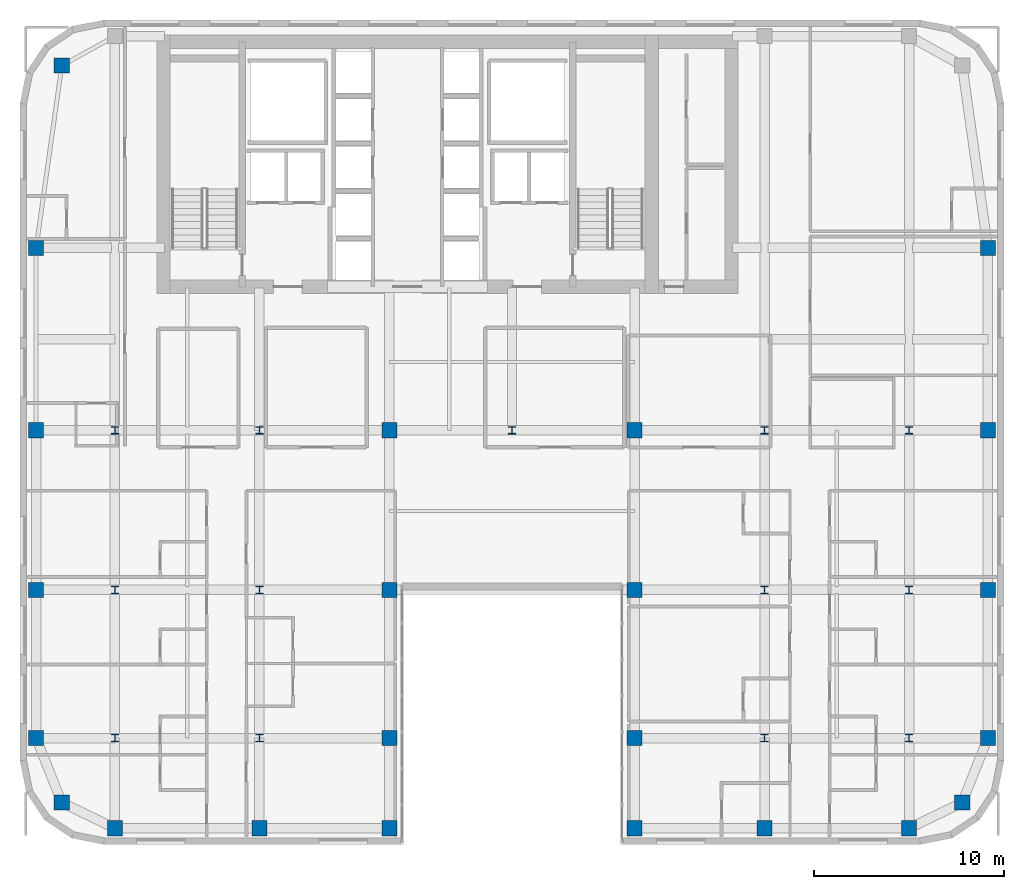
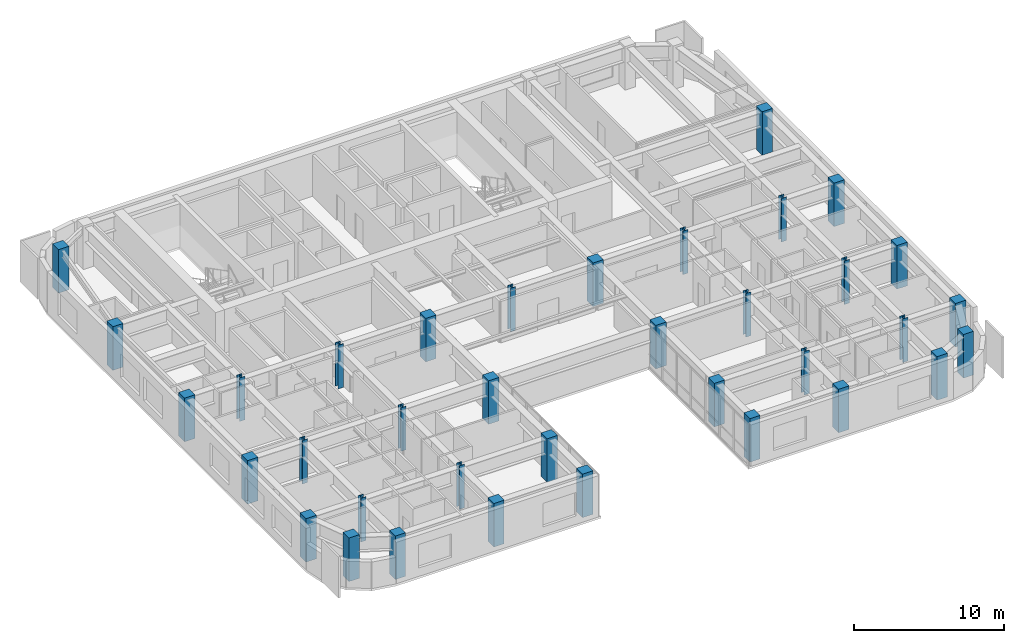
# One storey, part 1 of 14: 36 columns.
"""IFC4 building model written with IfcOpenShell, lengths in metres."""

from ifc_helpers import new_model, si_unit, direction, frame, origin, origin_2d, place, context, subcontext, project, spatial, rectangle, i_section, extrude, source, transform, mapped, material, material_profile, profile_set, type_object, type_shapes, element, save


model = new_model("IFC4")

# Units and contexts
model_context = context("Model", 3, precision=1e-05, world=origin(), true_north=direction((0.0, 1.0)))
body_context = subcontext(model_context, "Body", "Model", "MODEL_VIEW")
ifc_project = project(units=[si_unit("LENGTHUNIT", "METRE"), si_unit("AREAUNIT", "SQUARE_METRE"), si_unit("VOLUMEUNIT", "CUBIC_METRE"), si_unit("PLANEANGLEUNIT", "RADIAN"), si_unit("MASSUNIT", "GRAM", prefix="KILO")], contexts=[model_context])

# Site, building, storey
site_placement = place(None, origin())
site = spatial("IfcSite", under=ifc_project, at=site_placement, CompositionType="ELEMENT")
building_placement = place(site_placement, origin())
building = spatial("IfcBuilding", under=site, at=building_placement, Name="Tolvann Quenvar Hotel", CompositionType="ELEMENT")
storey_placement = place(building_placement, frame((0.0, 0.0, 150.60009765625)))
storey = spatial("IfcBuildingStorey", under=building, at=storey_placement, Name="L39", CompositionType="ELEMENT", Elevation=150.60009765625)

# Columns
ifc_material_1 = material(Name="Concrete N50 (50 MPa)", Category="concrete")
ifc_material_profile_1 = material_profile(ifc_material_1, rectangle(XDim=0.800048828125, YDim=0.800048828125, at=origin_2d()), Name="RC800x800")
ifc_profile_set_1 = profile_set([ifc_material_profile_1], Name="Concrete N50 (50 MPa)")
column_type_1 = type_object("IfcColumnType", Name="COL_RC800", PredefinedType="COLUMN", material=ifc_profile_set_1)
shared_shape_1 = source(origin(), body_context, "Body", "SweptSolid", [
    extrude(rectangle(XDim=0.800048828125, YDim=0.800048828125, at=origin_2d()), origin(), (0.0, 0.0, 1.0), 3.5498046875),
])
type_shapes(column_type_1, [shared_shape_1])
for number, where, z_axis, x_axis, name in (
    (1, (4.800048828125, 4.800048828125, 0.0), (0.0, 0.0, 1.0), (1.0, 0.0, 0.0), "Column B2 (L39)"),
    (2, (3.449951171875, 8.199951171875, 0.0), (0.0, 0.0, 1.0), (1.0, 0.0, 0.0), "Column B3 (L39)"),
    (3, (3.449951171875, 16.0, 0.0), (0.0, 0.0, 1.0), (1.0, 0.0, 0.0), "Column B4 (L39)"),
    (4, (3.449951171875, 24.39990234375, 0.0), (0.0, 0.0, 1.0), (1.0, 0.0, 0.0), "Column B5 (L39)"),
    (5, (7.60009765625, 3.449951171875, 0.0), (0.0, 0.0, 1.0), (1.0, 0.0, 0.0), "Column C2 (L39)"),
    (6, (15.199951171875, 3.449951171875, 0.0), (0.0, 0.0, 1.0), (1.0, 0.0, 0.0), "Column D2 (L39)"),
    (7, (22.050048828125, 3.449951171875, 0.0), (0.0, 0.0, 1.0), (1.0, 0.0, 0.0), "Column E2 (L39)"),
    (8, (22.050048828125, 8.199951171875, 0.0), (0.0, 0.0, 1.0), (1.0, 0.0, 0.0), "Column E3 (L39)"),
    (9, (22.050048828125, 16.0, 0.0), (0.0, 0.0, 1.0), (1.0, 0.0, 0.0), "Column E4 (L39)"),
    (10, (22.050048828125, 24.39990234375, 0.0), (0.0, 0.0, 1.0), (1.0, 0.0, 0.0), "Column E5 (L39)"),
    (11, (34.949951171875, 3.449951171875, 0.0), (0.0, 0.0, 1.0), (1.0, 0.0, 0.0), "Column F2 (L39)"),
    (12, (34.949951171875, 8.199951171875, 0.0), (0.0, 0.0, 1.0), (1.0, 0.0, 0.0), "Column F3 (L39)"),
    (13, (34.949951171875, 16.0, 0.0), (0.0, 0.0, 1.0), (1.0, 0.0, 0.0), "Column F4 (L39)"),
    (14, (34.949951171875, 24.39990234375, 0.0), (0.0, 0.0, 1.0), (1.0, 0.0, 0.0), "Column F5 (L39)"),
    (15, (41.800048828125, 3.449951171875, 0.0), (0.0, 0.0, 1.0), (1.0, 0.0, 0.0), "Column H2 (L39)"),
    (16, (49.39990234375, 3.449951171875, 0.0), (0.0, 0.0, 1.0), (1.0, 0.0, 0.0), "Column I2 (L39)"),
    (17, (52.199951171875, 4.800048828125, 0.0), (0.0, 0.0, 1.0), (1.0, 0.0, 0.0), "Column J2 (L39)"),
    (18, (53.550048828125, 8.199951171875, 0.0), (0.0, 0.0, 1.0), (1.0, 0.0, 0.0), "Column J3 (L39)"),
    (19, (53.550048828125, 16.0, 0.0), (0.0, 0.0, 1.0), (1.0, 0.0, 0.0), "Column J4 (L39)"),
    (20, (53.550048828125, 24.39990234375, 0.0), (0.0, 0.0, 1.0), (1.0, 0.0, 0.0), "Column J5 (L39)"),
    (21, (4.800048828125, 43.60009765625, 0.0), (0.0, 0.0, 1.0), (1.0, 0.0, 0.0), "Column BN (L39)"),
    (22, (3.449951171875, 34.0, 0.0), (0.0, 0.0, 1.0), (1.0, 0.0, 0.0), "Column BD6 (L39)"),
    (23, (53.550048828125, 34.0, 0.0), (0.0, 0.0, 1.0), (1.0, 0.0, 0.0), "Column JD6 (L39)"),
):
    element("IfcColumn", number, at=place(storey_placement, frame(where, z_axis=z_axis, x_axis=x_axis)), inside=storey, type_object=column_type_1, Name=name, PredefinedType="COLUMN", context=body_context, shape_type="MappedRepresentation", body=[
        mapped(shared_shape_1, transform((0.0, 0.0, 0.0), x_axis=(1.0, 0.0, 0.0), y_axis=(0.0, 1.0, 0.0), z_axis=(0.0, 0.0, 1.0), scale=1.0)),
    ])
ifc_material_2 = material(Name="Steel Grade 350", Category="steel")
ifc_material_profile_2 = material_profile(ifc_material_2, i_section(OverallWidth=0.39990234375, OverallDepth=0.39990234375, WebThickness=0.02001953125, FlangeThickness=0.034912109375, at=origin_2d()), Name="400WC270")
ifc_profile_set_2 = profile_set([ifc_material_profile_2], Name="Steel Grade 350")
column_type_2 = type_object("IfcColumnType", Name="COL_400WC270", PredefinedType="COLUMN", material=ifc_profile_set_2)
shared_shape_2 = source(origin(), body_context, "Body", "SweptSolid", [
    extrude(i_section(OverallWidth=0.39990234375, OverallDepth=0.39990234375, WebThickness=0.02001953125, FlangeThickness=0.034912109375, at=origin_2d()), origin(), (0.0, 0.0, 1.0), 3.5498046875),
])
type_shapes(column_type_2, [shared_shape_2])
for number, where, z_axis, x_axis, name in (
    (24, (7.60009765625, 8.199951171875, 0.0), (0.0, 0.0, 1.0), (1.0, 0.0, 0.0), "Column C3 (L39)"),
    (25, (7.60009765625, 16.0, 0.0), (0.0, 0.0, 1.0), (1.0, 0.0, 0.0), "Column C4 (L39)"),
    (26, (7.60009765625, 24.39990234375, 0.0), (0.0, 0.0, 1.0), (1.0, 0.0, 0.0), "Column C5 (L39)"),
    (27, (15.199951171875, 8.199951171875, 0.0), (0.0, 0.0, 1.0), (1.0, 0.0, 0.0), "Column D3 (L39)"),
    (28, (15.199951171875, 16.0, 0.0), (0.0, 0.0, 1.0), (1.0, 0.0, 0.0), "Column D4 (L39)"),
    (29, (15.199951171875, 24.39990234375, 0.0), (0.0, 0.0, 1.0), (1.0, 0.0, 0.0), "Column D5 (L39)"),
    (30, (41.800048828125, 8.199951171875, 0.0), (0.0, 0.0, 1.0), (1.0, 0.0, 0.0), "Column H3 (L39)"),
    (31, (41.800048828125, 16.0, 0.0), (0.0, 0.0, 1.0), (1.0, 0.0, 0.0), "Column H4 (L39)"),
    (32, (41.800048828125, 24.39990234375, 0.0), (0.0, 0.0, 1.0), (1.0, 0.0, 0.0), "Column H5 (L39)"),
    (33, (49.39990234375, 8.199951171875, 0.0), (0.0, 0.0, 1.0), (1.0, 0.0, 0.0), "Column I3 (L39)"),
    (34, (49.39990234375, 16.0, 0.0), (0.0, 0.0, 1.0), (1.0, 0.0, 0.0), "Column I4 (L39)"),
    (35, (49.39990234375, 24.39990234375, 0.0), (0.0, 0.0, 1.0), (1.0, 0.0, 0.0), "Column I5 (L39)"),
    (36, (28.5, 24.39990234375, 0.0), (0.0, 0.0, 1.0), (1.0, 0.0, 0.0), "Column M5 (L39)"),
):
    element("IfcColumn", number, at=place(storey_placement, frame(where, z_axis=z_axis, x_axis=x_axis)), inside=storey, type_object=column_type_2, Name=name, PredefinedType="COLUMN", context=body_context, shape_type="MappedRepresentation", body=[
        mapped(shared_shape_2, transform((0.0, 0.0, 0.0), x_axis=(1.0, 0.0, 0.0), y_axis=(0.0, 1.0, 0.0), z_axis=(0.0, 0.0, 1.0), scale=1.0)),
    ])

save(model, "model.ifc")
